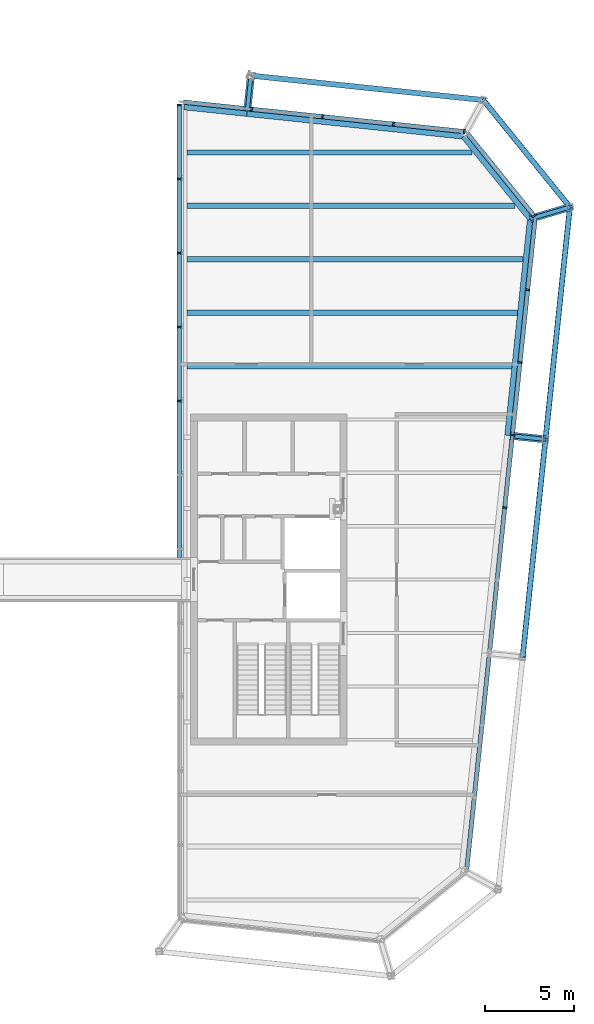
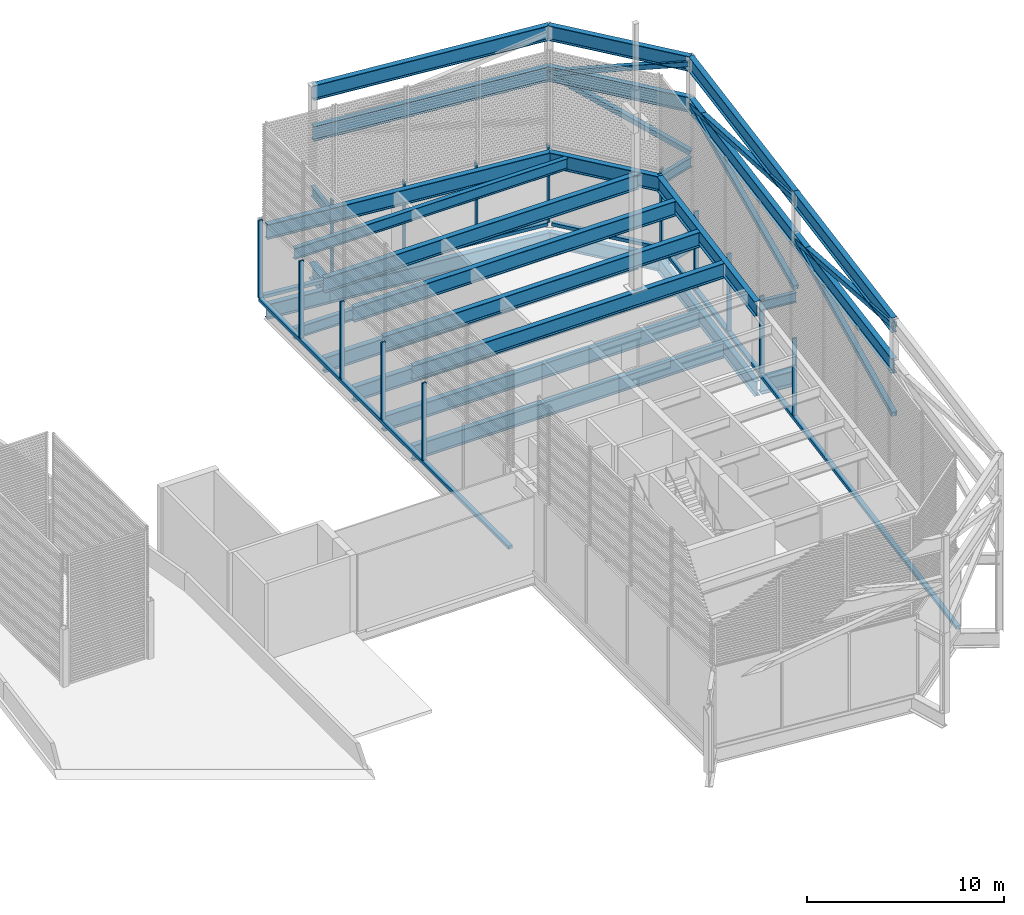
# One storey, part 6 of 11: 32 beams, 24 members, 4 elements without a shape of their own.
"""IFC4 building model written with IfcOpenShell, lengths in metres."""

from ifc_helpers import new_model, si_unit, direction, frame, origin, origin_2d, place, context, subcontext, project, spatial, rectangle, hollow_rectangle, i_section, extrude, material, layer, layer_set, material_profile, profile_set, type_object, element, aggregate, save


model = new_model("IFC4")

# Units and contexts
model_context = context("Model", 3, precision=1e-05, world=origin(), true_north=direction((0.0, 1.0)))
body_context = subcontext(model_context, "Body", "Model", "MODEL_VIEW")
ifc_project = project(units=[si_unit("LENGTHUNIT", "METRE"), si_unit("AREAUNIT", "SQUARE_METRE"), si_unit("VOLUMEUNIT", "CUBIC_METRE"), si_unit("PLANEANGLEUNIT", "RADIAN"), si_unit("MASSUNIT", "GRAM", prefix="KILO")], contexts=[model_context])

# Site, building, storey
site_placement = place(None, origin())
site = spatial("IfcSite", under=ifc_project, at=site_placement, CompositionType="ELEMENT")
building_placement = place(site_placement, origin())
building = spatial("IfcBuilding", under=site, at=building_placement, Name="Millrace Tower", CompositionType="ELEMENT")
storey_placement = place(building_placement, frame((0.0, 0.0, 357.10009765625)))
storey = spatial("IfcBuildingStorey", under=building, at=storey_placement, Name="L82", CompositionType="ELEMENT", Elevation=357.10009765625)

# Members
ifc_material_1 = material(Name="Steel ASTM A500 Grade C", Category="steel")
ifc_material_profile_1 = material_profile(ifc_material_1, hollow_rectangle(XDim=0.3046875, YDim=0.3046875, WallThickness=0.0126953125, InnerFilletRadius=0.00634765625, OuterFilletRadius=0.01904296875, at=origin_2d()))
ifc_profile_set_1 = profile_set([ifc_material_profile_1], Name="Steel ASTM A500 Grade C")
member_type_1 = type_object("IfcMemberType", Name="CROWN FRAME brace HSS12x12x1/2", PredefinedType="BRACE", material=ifc_profile_set_1)
member_1_placement = place(storey_placement, frame((24.171630859375, -4.353271484375, 5.0), z_axis=(0.101548714424, 0.966197642897, 0.236959856217), x_axis=(-0.994522189618, 0.10452566363, 0.0)))
element("IfcMember", 1, at=member_1_placement, inside=storey, type_object=member_type_1, Name="CROWN FRAME brace E.4 lo", PredefinedType="BRACE", context=body_context, shape_type="SweptSolid", body=[
    extrude(hollow_rectangle(XDim=0.3046875, YDim=0.3046875, WallThickness=0.0126953125, InnerFilletRadius=0.00634765625, OuterFilletRadius=0.01904296875, at=origin_2d()), origin(), (0.0, 0.0, 1.0), 12.660400390625),
])
member_2_placement = place(storey_placement, frame((25.457275390625, 7.879150390625, 8.0), z_axis=(-0.102371708855, -0.974028123904, 0.201963479547), x_axis=(0.994522189618, -0.10452566363, 0.0)))
element("IfcMember", 2, at=member_2_placement, inside=storey, type_object=member_type_1, Name="CROWN FRAME brace E.4 up", PredefinedType="BRACE", context=body_context, shape_type="SweptSolid", body=[
    extrude(hollow_rectangle(XDim=0.3046875, YDim=0.3046875, WallThickness=0.0126953125, InnerFilletRadius=0.00634765625, OuterFilletRadius=0.01904296875, at=origin_2d()), origin(), (0.0, 0.0, 1.0), 12.55859375),
])
member_3_placement = place(storey_placement, frame((25.457275390625, 7.879150390625, 5.0), z_axis=(0.101902290927, 0.969531136586, 0.222767363619), x_axis=(-0.994521846076, 0.104528932251, 0.0)))
element("IfcMember", 3, at=member_3_placement, inside=storey, type_object=member_type_1, Name="CROWN FRAME brace E.5 lo", PredefinedType="BRACE", context=body_context, shape_type="SweptSolid", body=[
    extrude(hollow_rectangle(XDim=0.3046875, YDim=0.3046875, WallThickness=0.0126953125, InnerFilletRadius=0.00634765625, OuterFilletRadius=0.01904296875, at=origin_2d()), origin(), (0.0, 0.0, 1.0), 13.467041015625),
])
member_4_placement = place(storey_placement, frame((26.82958984375, 20.935791015625, 8.0), z_axis=(-0.102631153038, -0.976465764895, 0.189687786677), x_axis=(0.994521846076, -0.104528932251, 0.0)))
element("IfcMember", 4, at=member_4_placement, inside=storey, type_object=member_type_1, Name="CROWN FRAME brace E.5 up", PredefinedType="BRACE", context=body_context, shape_type="SweptSolid", body=[
    extrude(hollow_rectangle(XDim=0.3046875, YDim=0.3046875, WallThickness=0.0126953125, InnerFilletRadius=0.00634765625, OuterFilletRadius=0.01904296875, at=origin_2d()), origin(), (0.0, 0.0, 1.0), 13.371337890625),
])
member_5_placement = place(storey_placement, frame((26.82958984375, 20.935791015625, 5.0), z_axis=(-0.586767871081, 0.724590365617, 0.361486192713), x_axis=(-0.777142728993, -0.62932438279, 0.0)))
element("IfcMember", 5, at=member_5_placement, inside=storey, type_object=member_type_1, Name="CROWN FRAME brace E.6 lo", PredefinedType="BRACE", context=body_context, shape_type="SweptSolid", body=[
    extrude(hollow_rectangle(XDim=0.3046875, YDim=0.3046875, WallThickness=0.0126953125, InnerFilletRadius=0.00634765625, OuterFilletRadius=0.01904296875, at=origin_2d()), origin(), (0.0, 0.0, 1.0), 8.299072265625),
])
member_6_placement = place(storey_placement, frame((21.9599609375, 26.94921875, 8.0), z_axis=(0.59801700674, -0.738481745363, 0.311480932669), x_axis=(0.777142728993, 0.62932438279, 0.0)))
element("IfcMember", 6, at=member_6_placement, inside=storey, type_object=member_type_1, Name="CROWN FRAME brace E.6 up", PredefinedType="BRACE", context=body_context, shape_type="SweptSolid", body=[
    extrude(hollow_rectangle(XDim=0.3046875, YDim=0.3046875, WallThickness=0.0126953125, InnerFilletRadius=0.00634765625, OuterFilletRadius=0.01904296875, at=origin_2d()), origin(), (0.0, 0.0, 1.0), 8.14306640625),
])

# Beams
ifc_material_2 = material(Name="Steel ASTM A992 Grade 50", Category="steel")
ifc_material_profile_2 = material_profile(ifc_material_2, i_section(OverallWidth=0.307373046875, OverallDepth=0.927001953125, WebThickness=0.01953125, FlangeThickness=0.031982421875, FilletRadius=0.01904296875, at=origin_2d()))
ifc_profile_set_2 = profile_set([ifc_material_profile_2], Name="Steel ASTM A992 Grade 50")
beam_type_1 = type_object("IfcBeamType", Name="CROWN FRAME ring beam W36x194", PredefinedType="BEAM", material=ifc_profile_set_2)
for number, where, z_axis, x_axis, name in (
    (7, (24.171630859375, -4.353271484375, 8.0), (0.10452566363, 0.994522189618, 0.0), (-0.994522189618, 0.10452566363, 0.0), "CROWN FRAME ring beam E.4 mid"),
    (8, (24.171630859375, -4.353271484375, 10.536376953125), (0.10452566363, 0.994522189618, 0.0), (-0.994522189618, 0.10452566363, 0.0), "CROWN FRAME ring beam E.4 top"),
):
    element("IfcBeam", number, at=place(storey_placement, frame(where, z_axis=z_axis, x_axis=x_axis)), inside=storey, type_object=beam_type_1, Name=name, PredefinedType="BEAM", context=body_context, shape_type="SweptSolid", body=[
        extrude(i_section(OverallWidth=0.307373046875, OverallDepth=0.927001953125, WebThickness=0.01953125, FlangeThickness=0.031982421875, FilletRadius=0.01904296875, at=origin_2d()), origin(), (0.0, 0.0, 1.0), 12.2998046875),
    ])
for number, where, z_axis, x_axis, name in (
    (9, (25.457275390625, 7.879150390625, 8.0), (0.104528932251, 0.994521846076, 0.0), (-0.994521846076, 0.104528932251, 0.0), "CROWN FRAME ring beam E.5 mid"),
    (10, (25.457275390625, 7.879150390625, 10.536376953125), (0.104528932251, 0.994521846076, 0.0), (-0.994521846076, 0.104528932251, 0.0), "CROWN FRAME ring beam E.5 top"),
):
    element("IfcBeam", number, at=place(storey_placement, frame(where, z_axis=z_axis, x_axis=x_axis)), inside=storey, type_object=beam_type_1, Name=name, PredefinedType="BEAM", context=body_context, shape_type="SweptSolid", body=[
        extrude(i_section(OverallWidth=0.307373046875, OverallDepth=0.927001953125, WebThickness=0.01953125, FlangeThickness=0.031982421875, FilletRadius=0.01904296875, at=origin_2d()), origin(), (0.0, 0.0, 1.0), 13.128662109375),
    ])
for number, where, z_axis, x_axis, name in (
    (11, (26.82958984375, 20.935791015625, 8.0), (-0.62932438279, 0.777142728993, 0.0), (-0.777142728993, -0.62932438279, 0.0), "CROWN FRAME ring beam E.6 mid"),
    (12, (26.82958984375, 20.935791015625, 10.536376953125), (-0.62932438279, 0.777142728993, 0.0), (-0.777142728993, -0.62932438279, 0.0), "CROWN FRAME ring beam E.6 top"),
):
    element("IfcBeam", number, at=place(storey_placement, frame(where, z_axis=z_axis, x_axis=x_axis)), inside=storey, type_object=beam_type_1, Name=name, PredefinedType="BEAM", context=body_context, shape_type="SweptSolid", body=[
        extrude(i_section(OverallWidth=0.307373046875, OverallDepth=0.927001953125, WebThickness=0.01953125, FlangeThickness=0.031982421875, FilletRadius=0.01904296875, at=origin_2d()), origin(), (0.0, 0.0, 1.0), 7.73779296875),
    ])
for number, where, z_axis, x_axis, name in (
    (13, (21.9599609375, 26.94921875, 8.0), (-0.994521846076, 0.104528932251, 0.0), (-0.104528932251, -0.994521846076, 0.0), "CROWN FRAME ring beam E.7 mid"),
    (14, (21.9599609375, 26.94921875, 10.536376953125), (-0.994521846076, 0.104528932251, 0.0), (-0.104528932251, -0.994521846076, 0.0), "CROWN FRAME ring beam E.7 top"),
):
    element("IfcBeam", number, at=place(storey_placement, frame(where, z_axis=z_axis, x_axis=x_axis)), inside=storey, type_object=beam_type_1, Name=name, PredefinedType="BEAM", context=body_context, shape_type="SweptSolid", body=[
        extrude(i_section(OverallWidth=0.307373046875, OverallDepth=0.927001953125, WebThickness=0.01953125, FlangeThickness=0.031982421875, FilletRadius=0.01904296875, at=origin_2d()), origin(), (0.0, 0.0, 1.0), 13.128662109375),
    ])

# Curtain wall, members
ifc_material_3 = material(Name="Aluminium and glass", Category="aluminium")
ifc_layer = layer(ifc_material_3, 0.25)
ifc_layer_set = layer_set([ifc_layer], Name="Aluminium and glass")
curtain_wall_type = type_object("IfcCurtainWallType", Name="CW-7 crown louvred enclosure", PredefinedType="NOTDEFINED", material=ifc_layer_set)
placement = place(storey_placement, origin())
curtain_wall_1 = element("IfcCurtainWall", 15, at=placement, inside=storey, type_object=curtain_wall_type, Name="Curtain wall CE-F01 L82", PredefinedType="NOTDEFINED")
ifc_material_4 = material(Name="Aluminium", Category="aluminium")
ifc_material_profile_3 = material_profile(ifc_material_4, rectangle(XDim=0.10009765625, YDim=0.25, at=origin_2d()))
ifc_profile_set_3 = profile_set([ifc_material_profile_3], Name="Aluminium")
member_type_2 = type_object("IfcMemberType", Name="CW-7 crown louvred enclosure mullion", PredefinedType="MULLION", material=ifc_profile_set_3)
member_7_placement = place(storey_placement, frame((4.875, 26.6708984375, 0.199951171875), z_axis=(0.0, 0.0, 1.0), x_axis=(0.0, -1.0, 0.0)))
member_7 = element("IfcMember", 16, at=member_7_placement, type_object=member_type_2, Name="CW7 mullion CE-F01.1", PredefinedType="MULLION", context=body_context, shape_type="SweptSolid", body=[
    extrude(rectangle(XDim=0.10009765625, YDim=0.25, at=origin_2d()), origin(), (0.0, 0.0, 1.0), 4.800048828125),
])
member_8_placement = place(storey_placement, frame((4.875, 22.51171875, 0.199951171875), z_axis=(0.0, 0.0, 1.0), x_axis=(0.0, -1.0, 0.0)))
member_8 = element("IfcMember", 17, at=member_8_placement, type_object=member_type_2, Name="CW7 mullion CE-F01.2", PredefinedType="MULLION", context=body_context, shape_type="SweptSolid", body=[
    extrude(rectangle(XDim=0.10009765625, YDim=0.25, at=origin_2d()), origin(), (0.0, 0.0, 1.0), 4.800048828125),
])
member_9_placement = place(storey_placement, frame((4.875, 18.3525390625, 0.199951171875), z_axis=(0.0, 0.0, 1.0), x_axis=(0.0, -1.0, 0.0)))
member_9 = element("IfcMember", 18, at=member_9_placement, type_object=member_type_2, Name="CW7 mullion CE-F01.3", PredefinedType="MULLION", context=body_context, shape_type="SweptSolid", body=[
    extrude(rectangle(XDim=0.10009765625, YDim=0.25, at=origin_2d()), origin(), (0.0, 0.0, 1.0), 4.800048828125),
])
member_10_placement = place(storey_placement, frame((4.875, 14.193359375, 0.199951171875), z_axis=(0.0, 0.0, 1.0), x_axis=(0.0, -1.0, 0.0)))
member_10 = element("IfcMember", 19, at=member_10_placement, type_object=member_type_2, Name="CW7 mullion CE-F01.4", PredefinedType="MULLION", context=body_context, shape_type="SweptSolid", body=[
    extrude(rectangle(XDim=0.10009765625, YDim=0.25, at=origin_2d()), origin(), (0.0, 0.0, 1.0), 4.800048828125),
])
member_11_placement = place(storey_placement, frame((4.875, 10.0341796875, 0.199951171875), z_axis=(0.0, 0.0, 1.0), x_axis=(0.0, -1.0, 0.0)))
member_11 = element("IfcMember", 20, at=member_11_placement, type_object=member_type_2, Name="CW7 mullion CE-F01.5", PredefinedType="MULLION", context=body_context, shape_type="SweptSolid", body=[
    extrude(rectangle(XDim=0.10009765625, YDim=0.25, at=origin_2d()), origin(), (0.0, 0.0, 1.0), 4.800048828125),
])

curtain_wall_2 = element("IfcCurtainWall", 21, at=placement, inside=storey, type_object=curtain_wall_type, Name="Curtain wall CE-F04 L82", PredefinedType="NOTDEFINED")
member_12_placement = place(storey_placement, frame((23.169189453125, 4.04736328125, 0.199951171875), z_axis=(0.0, 0.0, 1.0), x_axis=(0.104528455196, 0.994521896217, 0.0)))
member_12 = element("IfcMember", 22, at=member_12_placement, type_object=member_type_2, Name="CW7 mullion CE-F04.6", PredefinedType="MULLION", context=body_context, shape_type="SweptSolid", body=[
    extrude(rectangle(XDim=0.10009765625, YDim=0.25, at=origin_2d()), origin(), (0.0, 0.0, 1.0), 4.800048828125),
])
member_13_placement = place(storey_placement, frame((23.59765625, 8.125, 0.199951171875), z_axis=(0.0, 0.0, 1.0), x_axis=(0.104528455196, 0.994521896217, 0.0)))
member_13 = element("IfcMember", 23, at=member_13_placement, type_object=member_type_2, Name="CW7 mullion CE-F04.7", PredefinedType="MULLION", context=body_context, shape_type="SweptSolid", body=[
    extrude(rectangle(XDim=0.10009765625, YDim=0.25, at=origin_2d()), origin(), (0.0, 0.0, 1.0), 4.800048828125),
])
member_14_placement = place(storey_placement, frame((24.0263671875, 12.202392578125, 0.199951171875), z_axis=(0.0, 0.0, 1.0), x_axis=(0.104528455196, 0.994521896217, 0.0)))
member_14 = element("IfcMember", 24, at=member_14_placement, type_object=member_type_2, Name="CW7 mullion CE-F04.8", PredefinedType="MULLION", context=body_context, shape_type="SweptSolid", body=[
    extrude(rectangle(XDim=0.10009765625, YDim=0.25, at=origin_2d()), origin(), (0.0, 0.0, 1.0), 4.800048828125),
])
member_15_placement = place(storey_placement, frame((24.454833984375, 16.280029296875, 0.199951171875), z_axis=(0.0, 0.0, 1.0), x_axis=(0.104528455196, 0.994521896217, 0.0)))
member_15 = element("IfcMember", 25, at=member_15_placement, type_object=member_type_2, Name="CW7 mullion CE-F04.9", PredefinedType="MULLION", context=body_context, shape_type="SweptSolid", body=[
    extrude(rectangle(XDim=0.10009765625, YDim=0.25, at=origin_2d()), origin(), (0.0, 0.0, 1.0), 4.800048828125),
])

# Curtain wall, member
curtain_wall_3 = element("IfcCurtainWall", 26, at=placement, inside=storey, type_object=curtain_wall_type, Name="Curtain wall CE-F05 L82", PredefinedType="NOTDEFINED")
member_16_placement = place(storey_placement, frame((24.819580078125, 20.4384765625, 0.199951171875), z_axis=(0.0, 0.0, 1.0), x_axis=(-0.629320278945, 0.777146052237, 0.0)))
member_16 = element("IfcMember", 27, at=member_16_placement, type_object=member_type_2, Name="CW7 mullion CE-F05.1", PredefinedType="MULLION", context=body_context, shape_type="SweptSolid", body=[
    extrude(rectangle(XDim=0.10009765625, YDim=0.25, at=origin_2d()), origin(), (0.0, 0.0, 1.0), 4.800048828125),
])

# Curtain wall, members
curtain_wall_4 = element("IfcCurtainWall", 28, at=placement, inside=storey, type_object=curtain_wall_type, Name="Curtain wall CE-F06 L82", PredefinedType="NOTDEFINED")
member_17_placement = place(storey_placement, frame((20.890380859375, 25.17626953125, 0.199951171875), z_axis=(0.0, 0.0, 1.0), x_axis=(-0.994521896083, 0.104528456463, 0.0)))
member_17 = element("IfcMember", 29, at=member_17_placement, type_object=member_type_2, Name="CW7 mullion CE-F06.1", PredefinedType="MULLION", context=body_context, shape_type="SweptSolid", body=[
    extrude(rectangle(XDim=0.10009765625, YDim=0.25, at=origin_2d()), origin(), (0.0, 0.0, 1.0), 4.800048828125),
])
member_18_placement = place(storey_placement, frame((16.908447265625, 25.594970703125, 0.199951171875), z_axis=(0.0, 0.0, 1.0), x_axis=(-0.994521896083, 0.104528456463, 0.0)))
member_18 = element("IfcMember", 30, at=member_18_placement, type_object=member_type_2, Name="CW7 mullion CE-F06.2", PredefinedType="MULLION", context=body_context, shape_type="SweptSolid", body=[
    extrude(rectangle(XDim=0.10009765625, YDim=0.25, at=origin_2d()), origin(), (0.0, 0.0, 1.0), 4.800048828125),
])
member_19_placement = place(storey_placement, frame((12.9267578125, 26.013427734375, 0.199951171875), z_axis=(0.0, 0.0, 1.0), x_axis=(-0.994521896083, 0.104528456463, 0.0)))
member_19 = element("IfcMember", 31, at=member_19_placement, type_object=member_type_2, Name="CW7 mullion CE-F06.3", PredefinedType="MULLION", context=body_context, shape_type="SweptSolid", body=[
    extrude(rectangle(XDim=0.10009765625, YDim=0.25, at=origin_2d()), origin(), (0.0, 0.0, 1.0), 4.800048828125),
])
member_20_placement = place(storey_placement, frame((8.945068359375, 26.431884765625, 0.199951171875), z_axis=(0.0, 0.0, 1.0), x_axis=(-0.994521896083, 0.104528456463, 0.0)))
member_20 = element("IfcMember", 32, at=member_20_placement, type_object=member_type_2, Name="CW7 mullion CE-F06.4", PredefinedType="MULLION", context=body_context, shape_type="SweptSolid", body=[
    extrude(rectangle(XDim=0.10009765625, YDim=0.25, at=origin_2d()), origin(), (0.0, 0.0, 1.0), 4.800048828125),
])

# Member
ifc_material_5 = material(Name="Aluminium", Category="aluminium")
ifc_material_profile_4 = material_profile(ifc_material_5, rectangle(XDim=0.25, YDim=0.199951171875, at=origin_2d()))
ifc_profile_set_4 = profile_set([ifc_material_profile_4], Name="Aluminium")
member_type_3 = type_object("IfcMemberType", Name="CW-7 crown louvred enclosure transom", PredefinedType="USERDEFINED", material=ifc_profile_set_4)
member_21_placement = place(storey_placement, frame((21.031494140625, -16.29052734375, 0.099853515625), z_axis=(0.104527916025, 0.994521952886, 0.0), x_axis=(-0.994521952886, 0.104527916025, 0.0)))
member_21 = element("IfcMember", 33, at=member_21_placement, type_object=member_type_3, Name="CW7 transom CE-F04.1", ObjectType="TRANSOM", PredefinedType="USERDEFINED", context=body_context, shape_type="SweptSolid", body=[
    extrude(rectangle(XDim=0.25, YDim=0.199951171875, at=origin_2d()), origin(), (0.0, 0.0, 1.0), 36.699951171875),
])

aggregate(curtain_wall_2, [member_12, member_13, member_14, member_15, member_21])

member_22_placement = place(storey_placement, frame((24.7880859375, 20.477294921875, 0.099853515625), z_axis=(-0.629321221277, 0.777145289151, 0.0), x_axis=(-0.777145289151, -0.629321221277, 0.0)))
member_22 = element("IfcMember", 34, at=member_22_placement, type_object=member_type_3, Name="CW7 transom CE-F05.1", ObjectType="TRANSOM", PredefinedType="USERDEFINED", context=body_context, shape_type="SweptSolid", body=[
    extrude(rectangle(XDim=0.25, YDim=0.199951171875, at=origin_2d()), origin(), (0.0, 0.0, 1.0), 5.881103515625),
])

aggregate(curtain_wall_3, [member_16, member_22])

member_23_placement = place(storey_placement, frame((20.840576171875, 25.181640625, 0.099853515625), z_axis=(-0.99452193556, 0.104528080868, 0.0), x_axis=(-0.104528080868, -0.99452193556, 0.0)))
member_23 = element("IfcMember", 35, at=member_23_placement, type_object=member_type_3, Name="CW7 transom CE-F06.1", ObjectType="TRANSOM", PredefinedType="USERDEFINED", context=body_context, shape_type="SweptSolid", body=[
    extrude(rectangle(XDim=0.25, YDim=0.199951171875, at=origin_2d()), origin(), (0.0, 0.0, 1.0), 15.814697265625),
])

aggregate(curtain_wall_4, [member_17, member_18, member_19, member_20, member_23])

member_24_placement = place(storey_placement, frame((4.875, 1.239990234375, 0.099853515625), z_axis=(0.0, 1.0, 0.0), x_axis=(-1.0, 0.0, 0.0)))
member_24 = element("IfcMember", 36, at=member_24_placement, type_object=member_type_3, Name="CW7 transom CE-F01.1", ObjectType="TRANSOM", PredefinedType="USERDEFINED", context=body_context, shape_type="SweptSolid", body=[
    extrude(rectangle(XDim=0.25, YDim=0.199951171875, at=origin_2d()), origin(), (0.0, 0.0, 1.0), 25.380859375),
])

aggregate(curtain_wall_1, [member_7, member_8, member_9, member_10, member_11, member_24])

# Beams
ifc_material_6 = material(Name="Steel ASTM A992 Grade 50", Category="steel")
ifc_material_profile_5 = material_profile(ifc_material_6, i_section(OverallWidth=0.256591796875, OverallDepth=0.693359375, WebThickness=0.014404296875, FlangeThickness=0.023681640625, FilletRadius=0.01513671875, at=origin_2d()))
ifc_profile_set_5 = profile_set([ifc_material_profile_5], Name="Steel ASTM A992 Grade 50")
beam_type_2 = type_object("IfcBeamType", Name="Floor beam W27x114", PredefinedType="JOIST", material=ifc_profile_set_5)
for number, where, z_axis, x_axis, name in (
    (37, (5.307373046875, 24.0, -0.546875), (1.0, 0.0, 0.0), (0.0, 1.0, 0.0), "BM-CROWN-L82-SE-S015"),
    (38, (5.307373046875, 24.0, 4.403076171875), (1.0, 0.0, 0.0), (0.0, 1.0, 0.0), "BM-E-L82-RE-S015"),
):
    element("IfcBeam", number, at=place(storey_placement, frame(where, z_axis=z_axis, x_axis=x_axis)), inside=storey, type_object=beam_type_2, Name=name, PredefinedType="JOIST", context=body_context, shape_type="SweptSolid", body=[
        extrude(i_section(OverallWidth=0.256591796875, OverallDepth=0.693359375, WebThickness=0.014404296875, FlangeThickness=0.023681640625, FilletRadius=0.01513671875, at=origin_2d()), origin(), (0.0, 0.0, 1.0), 16.02392578125),
    ])
ifc_material_7 = material(Name="Steel ASTM A992 Grade 50", Category="steel")
ifc_material_profile_6 = material_profile(ifc_material_7, i_section(OverallWidth=0.307373046875, OverallDepth=0.927001953125, WebThickness=0.01953125, FlangeThickness=0.031982421875, FilletRadius=0.01904296875, at=origin_2d()))
ifc_profile_set_6 = profile_set([ifc_material_profile_6], Name="Steel ASTM A992 Grade 50")
beam_type_3 = type_object("IfcBeamType", Name="Floor beam W36x194", PredefinedType="JOIST", material=ifc_profile_set_6)
beam_1_placement = place(storey_placement, frame((5.307373046875, 12.0, -0.66357421875), z_axis=(1.0, 0.0, 0.0), x_axis=(0.0, 1.0, 0.0)))
element("IfcBeam", 39, at=beam_1_placement, inside=storey, type_object=beam_type_3, Name="BM-CROWN-L82-SE-S011", PredefinedType="JOIST", context=body_context, shape_type="SweptSolid", body=[
    extrude(i_section(OverallWidth=0.307373046875, OverallDepth=0.927001953125, WebThickness=0.01953125, FlangeThickness=0.031982421875, FilletRadius=0.01904296875, at=origin_2d()), origin(), (0.0, 0.0, 1.0), 18.262939453125),
])
beam_2_placement = place(storey_placement, frame((5.307373046875, 15.0, -0.66357421875), z_axis=(1.0, 0.0, 0.0), x_axis=(0.0, 1.0, 0.0)))
element("IfcBeam", 40, at=beam_2_placement, inside=storey, type_object=beam_type_3, Name="BM-CROWN-L82-SE-S012", PredefinedType="JOIST", context=body_context, shape_type="SweptSolid", body=[
    extrude(i_section(OverallWidth=0.307373046875, OverallDepth=0.927001953125, WebThickness=0.01953125, FlangeThickness=0.031982421875, FilletRadius=0.01904296875, at=origin_2d()), origin(), (0.0, 0.0, 1.0), 18.578369140625),
])
beam_3_placement = place(storey_placement, frame((5.307373046875, 18.0, -0.66357421875), z_axis=(1.0, 0.0, 0.0), x_axis=(0.0, 1.0, 0.0)))
element("IfcBeam", 41, at=beam_3_placement, inside=storey, type_object=beam_type_3, Name="BM-CROWN-L82-SE-S013", PredefinedType="JOIST", context=body_context, shape_type="SweptSolid", body=[
    extrude(i_section(OverallWidth=0.307373046875, OverallDepth=0.927001953125, WebThickness=0.01953125, FlangeThickness=0.031982421875, FilletRadius=0.01904296875, at=origin_2d()), origin(), (0.0, 0.0, 1.0), 18.8935546875),
])
beam_4_placement = place(storey_placement, frame((5.307373046875, 12.0, 4.286376953125), z_axis=(1.0, 0.0, 0.0), x_axis=(0.0, 1.0, 0.0)))
element("IfcBeam", 42, at=beam_4_placement, inside=storey, type_object=beam_type_3, Name="BM-E-L82-RE-S011", PredefinedType="JOIST", context=body_context, shape_type="SweptSolid", body=[
    extrude(i_section(OverallWidth=0.307373046875, OverallDepth=0.927001953125, WebThickness=0.01953125, FlangeThickness=0.031982421875, FilletRadius=0.01904296875, at=origin_2d()), origin(), (0.0, 0.0, 1.0), 18.262939453125),
])
beam_5_placement = place(storey_placement, frame((5.307373046875, 15.0, 4.286376953125), z_axis=(1.0, 0.0, 0.0), x_axis=(0.0, 1.0, 0.0)))
element("IfcBeam", 43, at=beam_5_placement, inside=storey, type_object=beam_type_3, Name="BM-E-L82-RE-S012", PredefinedType="JOIST", context=body_context, shape_type="SweptSolid", body=[
    extrude(i_section(OverallWidth=0.307373046875, OverallDepth=0.927001953125, WebThickness=0.01953125, FlangeThickness=0.031982421875, FilletRadius=0.01904296875, at=origin_2d()), origin(), (0.0, 0.0, 1.0), 18.578369140625),
])
beam_6_placement = place(storey_placement, frame((5.307373046875, 18.0, 4.286376953125), z_axis=(1.0, 0.0, 0.0), x_axis=(0.0, 1.0, 0.0)))
element("IfcBeam", 44, at=beam_6_placement, inside=storey, type_object=beam_type_3, Name="BM-E-L82-RE-S013", PredefinedType="JOIST", context=body_context, shape_type="SweptSolid", body=[
    extrude(i_section(OverallWidth=0.307373046875, OverallDepth=0.927001953125, WebThickness=0.01953125, FlangeThickness=0.031982421875, FilletRadius=0.01904296875, at=origin_2d()), origin(), (0.0, 0.0, 1.0), 18.8935546875),
])
for number, where, z_axis, x_axis, name in (
    (45, (5.307373046875, 21.0, -0.66357421875), (1.0, 0.0, 0.0), (0.0, 1.0, 0.0), "BM-CROWN-L82-SE-S014"),
    (46, (5.307373046875, 21.0, 4.286376953125), (1.0, 0.0, 0.0), (0.0, 1.0, 0.0), "BM-E-L82-RE-S014"),
):
    element("IfcBeam", number, at=place(storey_placement, frame(where, z_axis=z_axis, x_axis=x_axis)), inside=storey, type_object=beam_type_3, Name=name, PredefinedType="JOIST", context=body_context, shape_type="SweptSolid", body=[
        extrude(i_section(OverallWidth=0.307373046875, OverallDepth=0.927001953125, WebThickness=0.01953125, FlangeThickness=0.031982421875, FilletRadius=0.01904296875, at=origin_2d()), origin(), (0.0, 0.0, 1.0), 18.43310546875),
    ])
ifc_material_8 = material(Name="Steel ASTM A992 Grade 50", Category="steel")
ifc_material_profile_7 = material_profile(ifc_material_8, i_section(OverallWidth=0.23046875, OverallDepth=0.6171875, WebThickness=0.01318359375, FlangeThickness=0.022216796875, FilletRadius=0.012939453125, at=origin_2d()))
ifc_profile_set_7 = profile_set([ifc_material_profile_7], Name="Steel ASTM A992 Grade 50")
beam_type_4 = type_object("IfcBeamType", Name="Link beam W24x94", PredefinedType="BEAM", material=ifc_profile_set_7)
beam_7_placement = place(storey_placement, frame((8.6943359375, 26.33251953125, 4.44140625), z_axis=(0.104494148666, 0.99452550138, 0.0), x_axis=(-0.99452550138, 0.104494148666, 0.0)))
element("IfcBeam", 47, at=beam_7_placement, inside=storey, type_object=beam_type_4, Name="LNK-E-L82-RE-01", PredefinedType="BEAM", context=body_context, shape_type="SweptSolid", body=[
    extrude(i_section(OverallWidth=0.23046875, OverallDepth=0.6171875, WebThickness=0.01318359375, FlangeThickness=0.022216796875, FilletRadius=0.012939453125, at=origin_2d()), origin(), (0.0, 0.0, 1.0), 2.0),
])
beam_8_placement = place(storey_placement, frame((24.594482421875, 20.273681640625, 4.44140625), z_axis=(0.958815015936, 0.284031275065, 0.0), x_axis=(-0.284031275065, 0.958815015936, 0.0)))
element("IfcBeam", 48, at=beam_8_placement, inside=storey, type_object=beam_type_4, Name="LNK-E-L82-RE-03", PredefinedType="BEAM", context=body_context, shape_type="SweptSolid", body=[
    extrude(i_section(OverallWidth=0.23046875, OverallDepth=0.6171875, WebThickness=0.01318359375, FlangeThickness=0.022216796875, FilletRadius=0.012939453125, at=origin_2d()), origin(), (0.0, 0.0, 1.0), 2.3310546875),
])
beam_9_placement = place(storey_placement, frame((23.46826171875, 8.08837890625, 4.44140625), z_axis=(0.994512808172, -0.104614886044, 0.0), x_axis=(0.104614886044, 0.994512808172, 0.0)))
element("IfcBeam", 49, at=beam_9_placement, inside=storey, type_object=beam_type_4, Name="LNK-E-L82-RE-04", PredefinedType="BEAM", context=body_context, shape_type="SweptSolid", body=[
    extrude(i_section(OverallWidth=0.23046875, OverallDepth=0.6171875, WebThickness=0.01318359375, FlangeThickness=0.022216796875, FilletRadius=0.012939453125, at=origin_2d()), origin(), (0.0, 0.0, 1.0), 2.0),
])
ifc_material_9 = material(Name="Steel ASTM A992 Grade 50", Category="steel")
ifc_material_profile_8 = material_profile(ifc_material_9, i_section(OverallWidth=0.421630859375, OverallDepth=0.95751953125, WebThickness=0.02587890625, FlangeThickness=0.046875, FilletRadius=0.024169921875, at=origin_2d()))
ifc_profile_set_8 = profile_set([ifc_material_profile_8], Name="Steel ASTM A992 Grade 50")
beam_type_5 = type_object("IfcBeamType", Name="Link beam W36x330", PredefinedType="BEAM", material=ifc_profile_set_8)
beam_10_placement = place(storey_placement, frame((8.6943359375, 26.33251953125, -0.47900390625), z_axis=(0.104494148666, 0.99452550138, 0.0), x_axis=(-0.99452550138, 0.104494148666, 0.0)))
element("IfcBeam", 50, at=beam_10_placement, inside=storey, type_object=beam_type_5, Name="LNK-CROWN-L82-SE-01", PredefinedType="BEAM", context=body_context, shape_type="SweptSolid", body=[
    extrude(i_section(OverallWidth=0.421630859375, OverallDepth=0.95751953125, WebThickness=0.02587890625, FlangeThickness=0.046875, FilletRadius=0.024169921875, at=origin_2d()), origin(), (0.0, 0.0, 1.0), 2.0),
])
beam_11_placement = place(storey_placement, frame((24.594482421875, 20.273681640625, -0.47900390625), z_axis=(0.958815015936, 0.284031275065, 0.0), x_axis=(-0.284031275065, 0.958815015936, 0.0)))
element("IfcBeam", 51, at=beam_11_placement, inside=storey, type_object=beam_type_5, Name="LNK-CROWN-L82-SE-03", PredefinedType="BEAM", context=body_context, shape_type="SweptSolid", body=[
    extrude(i_section(OverallWidth=0.421630859375, OverallDepth=0.95751953125, WebThickness=0.02587890625, FlangeThickness=0.046875, FilletRadius=0.024169921875, at=origin_2d()), origin(), (0.0, 0.0, 1.0), 2.3310546875),
])
beam_12_placement = place(storey_placement, frame((23.46826171875, 8.08837890625, -0.47900390625), z_axis=(0.994512808172, -0.104614886044, 0.0), x_axis=(0.104614886044, 0.994512808172, 0.0)))
element("IfcBeam", 52, at=beam_12_placement, inside=storey, type_object=beam_type_5, Name="LNK-CROWN-L82-SE-04", PredefinedType="BEAM", context=body_context, shape_type="SweptSolid", body=[
    extrude(i_section(OverallWidth=0.421630859375, OverallDepth=0.95751953125, WebThickness=0.02587890625, FlangeThickness=0.046875, FilletRadius=0.024169921875, at=origin_2d()), origin(), (0.0, 0.0, 1.0), 2.0),
])
ifc_material_10 = material(Name="Steel ASTM A992 Grade 50", Category="steel")
ifc_material_profile_9 = material_profile(ifc_material_10, i_section(OverallWidth=0.307373046875, OverallDepth=0.927001953125, WebThickness=0.01953125, FlangeThickness=0.031982421875, FilletRadius=0.01904296875, at=origin_2d()))
ifc_profile_set_9 = profile_set([ifc_material_profile_9], Name="Steel ASTM A992 Grade 50")
beam_type_6 = type_object("IfcBeamType", Name="Ring beam medium span W36x194", PredefinedType="SPANDREL", material=ifc_profile_set_9)
for number, where, z_axis, x_axis, name in (
    (53, (8.67822265625, 26.1796875, -0.66357421875), (0.994521948696, -0.104527955888, 0.0), (0.104527955888, 0.994521948696, 0.0), "RNG-CROWN-L82-SE-01"),
    (54, (24.594482421875, 20.273681640625, -0.66357421875), (-0.104527955888, -0.994521948696, 0.0), (0.994521948696, -0.104527955888, 0.0), "RNG-CROWN-L82-SE-03"),
    (55, (8.67822265625, 26.1796875, 4.286376953125), (0.994521948696, -0.104527955888, 0.0), (0.104527955888, 0.994521948696, 0.0), "RNG-E-L82-RE-01"),
    (56, (24.594482421875, 20.273681640625, 4.286376953125), (-0.104527955888, -0.994521948696, 0.0), (0.994521948696, -0.104527955888, 0.0), "RNG-E-L82-RE-03"),
):
    element("IfcBeam", number, at=place(storey_placement, frame(where, z_axis=z_axis, x_axis=x_axis)), inside=storey, type_object=beam_type_6, Name=name, PredefinedType="SPANDREL", context=body_context, shape_type="SweptSolid", body=[
        extrude(i_section(OverallWidth=0.307373046875, OverallDepth=0.927001953125, WebThickness=0.01953125, FlangeThickness=0.031982421875, FilletRadius=0.01904296875, at=origin_2d()), origin(), (0.0, 0.0, 1.0), 12.236572265625),
    ])
ifc_material_11 = material(Name="Steel ASTM A992 Grade 50", Category="steel")
ifc_material_profile_10 = material_profile(ifc_material_11, i_section(OverallWidth=0.307373046875, OverallDepth=0.927001953125, WebThickness=0.01953125, FlangeThickness=0.031982421875, FilletRadius=0.01904296875, at=origin_2d()))
ifc_profile_set_10 = profile_set([ifc_material_profile_10], Name="Steel ASTM A992 Grade 50")
beam_type_7 = type_object("IfcBeamType", Name="Ring beam short span W36x194", PredefinedType="SPANDREL", material=ifc_profile_set_10)
beam_13_placement = place(storey_placement, frame((20.84765625, 24.900634765625, -0.66357421875), z_axis=(0.629319722443, -0.777146502883, 0.0), x_axis=(0.777146502883, 0.629319722443, 0.0)))
element("IfcBeam", 57, at=beam_13_placement, inside=storey, type_object=beam_type_7, Name="RNG-CROWN-L82-SE-02", PredefinedType="SPANDREL", context=body_context, shape_type="SweptSolid", body=[
    extrude(i_section(OverallWidth=0.307373046875, OverallDepth=0.927001953125, WebThickness=0.01953125, FlangeThickness=0.031982421875, FilletRadius=0.01904296875, at=origin_2d()), origin(), (0.0, 0.0, 1.0), 5.953857421875),
])
beam_14_placement = place(storey_placement, frame((5.153564453125, 26.550048828125, -0.66357421875), z_axis=(0.994524686779, -0.104501901354, 0.0), x_axis=(0.104501901354, 0.994524686779, 0.0)))
element("IfcBeam", 58, at=beam_14_placement, inside=storey, type_object=beam_type_7, Name="RNG-CROWN-L82-SE-09", PredefinedType="SPANDREL", context=body_context, shape_type="SweptSolid", body=[
    extrude(i_section(OverallWidth=0.307373046875, OverallDepth=0.927001953125, WebThickness=0.01953125, FlangeThickness=0.031982421875, FilletRadius=0.01904296875, at=origin_2d()), origin(), (0.0, 0.0, 1.0), 3.5439453125),
])
beam_15_placement = place(storey_placement, frame((20.84765625, 24.900634765625, 4.286376953125), z_axis=(0.629319722443, -0.777146502883, 0.0), x_axis=(0.777146502883, 0.629319722443, 0.0)))
element("IfcBeam", 59, at=beam_15_placement, inside=storey, type_object=beam_type_7, Name="RNG-E-L82-RE-02", PredefinedType="SPANDREL", context=body_context, shape_type="SweptSolid", body=[
    extrude(i_section(OverallWidth=0.307373046875, OverallDepth=0.927001953125, WebThickness=0.01953125, FlangeThickness=0.031982421875, FilletRadius=0.01904296875, at=origin_2d()), origin(), (0.0, 0.0, 1.0), 5.953857421875),
])
beam_16_placement = place(storey_placement, frame((5.153564453125, 26.550048828125, 4.286376953125), z_axis=(0.994524686779, -0.104501901354, 0.0), x_axis=(0.104501901354, 0.994524686779, 0.0)))
element("IfcBeam", 60, at=beam_16_placement, inside=storey, type_object=beam_type_7, Name="RNG-E-L82-RE-09", PredefinedType="SPANDREL", context=body_context, shape_type="SweptSolid", body=[
    extrude(i_section(OverallWidth=0.307373046875, OverallDepth=0.927001953125, WebThickness=0.01953125, FlangeThickness=0.031982421875, FilletRadius=0.01904296875, at=origin_2d()), origin(), (0.0, 0.0, 1.0), 3.5439453125),
])

save(model, "model.ifc")
